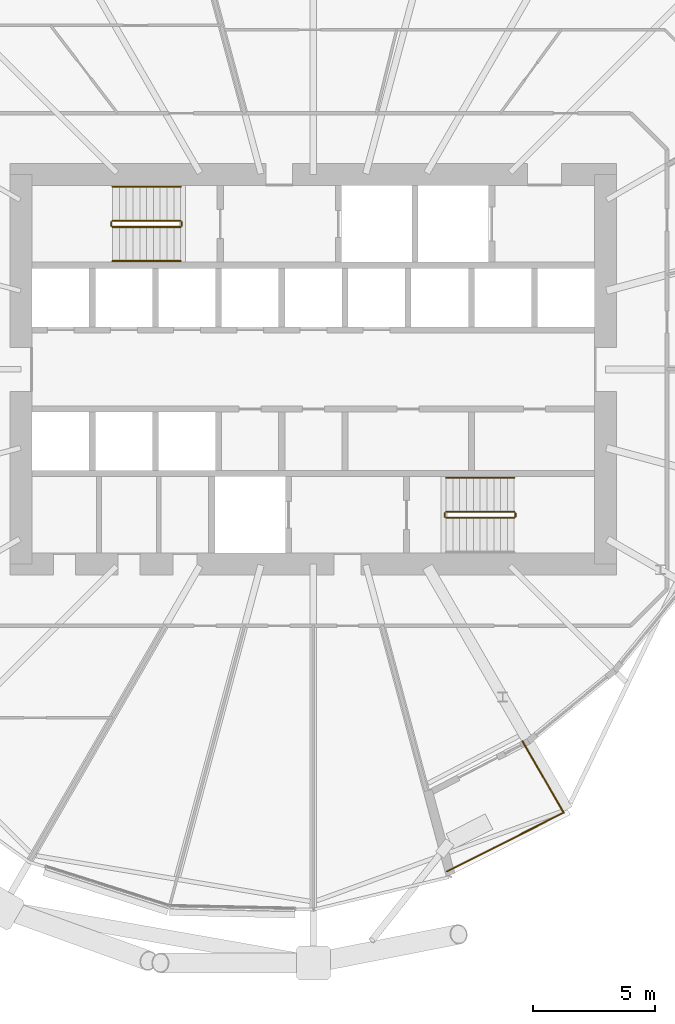
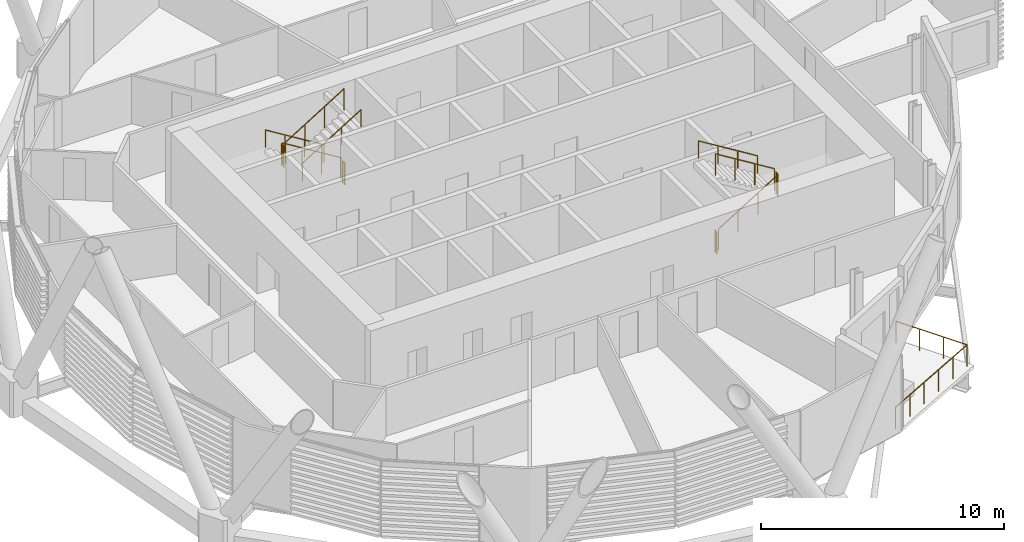
# One storey, part 34 of 36: 12 railings.
"""IFC4 building model written with IfcOpenShell, lengths in metres."""

import ifcopenshell
import ifcopenshell.guid

model = None  # the IFC model being written
_history = None  # IfcOwnerHistory: only IFC2X3 demands one
_inside = {}  # id of a spatial element -> (the spatial element, [elements in it])
_under = {}  # id of a project, library or spatial element -> (it, [spatial elements below it])
_declared = {}  # id of a project -> (the project, [libraries it declares])
_typed = {}  # id of a type object -> (the type object, [elements of that type])
_made_of = {}  # id of a material, layer set ... -> (it, [elements and type objects made of it])


def new_model(schema):
    """Start an empty IFC model of exactly this schema.

    Asked for "IFC4X3", IfcOpenShell would pick the latest addendum, in which some entities
    have other attributes; the version numbers below select the first issue.
    IFC2X3 requires an IfcOwnerHistory on every rooted entity: one is made here for all.
    """
    global model, _history
    if schema == "IFC4X3":
        model = ifcopenshell.file(schema_version=(4, 3, 0, 0))
    else:
        model = ifcopenshell.file(schema=schema)
    _inside.clear()
    _under.clear()
    _declared.clear()
    _typed.clear()
    _made_of.clear()
    _history = None
    if model.schema == "IFC2X3":
        org = make("IfcOrganization", Name="unknown")
        user = make(
            "IfcPersonAndOrganization",
            ThePerson=make("IfcPerson", FamilyName="unknown"),
            TheOrganization=org,
        )
        app = make(
            "IfcApplication",
            ApplicationDeveloper=org,
            Version="unknown",
            ApplicationFullName="unknown",
            ApplicationIdentifier="unknown",
        )
        _history = make(
            "IfcOwnerHistory",
            OwningUser=user,
            OwningApplication=app,
            ChangeAction="ADDED",
            CreationDate=0,
        )
    return model


def make(cls, **values):
    """One entity of the class cls with the attributes given. An attribute that is None is left unset."""
    return model.create_entity(
        cls, **{name: value for name, value in values.items() if value is not None}
    )


def rooted(cls, **values):
    """An entity with a GlobalId (a new one), such as an element, a storey or a relation."""
    return make(cls, GlobalId=ifcopenshell.guid.new(), OwnerHistory=_history, **values)


def si_unit(unit_type, name, prefix=None):
    """IfcSIUnit, for example si_unit("LENGTHUNIT", "METRE", prefix="MILLI")."""
    return make("IfcSIUnit", UnitType=unit_type, Prefix=prefix, Name=name)


def assignment(units):
    """IfcUnitAssignment: the units of a project."""
    return None if units is None else make("IfcUnitAssignment", Units=units)


def point(xyz):
    """IfcCartesianPoint."""
    return None if xyz is None else make("IfcCartesianPoint", Coordinates=xyz)


def direction(xyz):
    """IfcDirection."""
    return None if xyz is None else make("IfcDirection", DirectionRatios=xyz)


def frame(location, z_axis=None, x_axis=None):
    """IfcAxis2Placement3D, a coordinate frame: its origin and axes. An axis left out is left unset."""
    return make(
        "IfcAxis2Placement3D",
        Location=point(location),
        Axis=direction(z_axis),
        RefDirection=direction(x_axis),
    )


def frame_2d(location, x_axis=None):
    """IfcAxis2Placement2D, a coordinate frame in the plane: its origin and x axis."""
    return make(
        "IfcAxis2Placement2D", Location=point(location), RefDirection=direction(x_axis)
    )


def origin():
    """The frame at (0, 0, 0) with its axes left unset."""
    return frame((0.0, 0.0, 0.0))


def origin_2d():
    """The frame at (0, 0) in the plane with its x axis left unset."""
    return frame_2d((0.0, 0.0))


def place(relative_to, where):
    """IfcLocalPlacement: puts the frame where relative to a parent placement (None: the world)."""
    return make(
        "IfcLocalPlacement", PlacementRelTo=relative_to, RelativePlacement=where
    )


def context(
    kind, dimensions, precision=None, world=None, true_north=None, identifier=None
):
    """IfcGeometricRepresentationContext, for example the 3D "Model" context."""
    return make(
        "IfcGeometricRepresentationContext",
        ContextIdentifier=identifier,
        ContextType=kind,
        CoordinateSpaceDimension=dimensions,
        Precision=precision,
        WorldCoordinateSystem=world,
        TrueNorth=true_north,
    )


def subcontext(parent, identifier, kind, view, scale=None):
    """IfcGeometricRepresentationSubContext, for example "Body" below "Model"."""
    return make(
        "IfcGeometricRepresentationSubContext",
        ContextIdentifier=identifier,
        ContextType=kind,
        ParentContext=parent,
        TargetScale=scale,
        TargetView=view,
    )


def project(units=None, contexts=None):
    """IfcProject with its units and contexts."""
    return rooted(
        "IfcProject",
        Name="project",
        RepresentationContexts=contexts,
        UnitsInContext=assignment(units),
    )


def spatial(cls, under=None, at=None, **own):
    """A site, building, storey or space (cls), placed at a placement, below another one or the project."""
    s = rooted(cls, ObjectPlacement=at, **own)
    if under is not None:
        _under.setdefault(under.id(), (under, []))[1].append(s)
    return s


def profile(cls, at=None, kind="AREA", **sizes):
    """A parametric profile (cls). Its sizes go by their IFC names, for example OverallWidth=200.0."""
    return make(cls, ProfileType=kind, Position=at, **sizes)


def circle(**sizes):
    """IfcCircleProfileDef."""
    return profile("IfcCircleProfileDef", **sizes)


def extrude(swept, where, along, depth):
    """IfcExtrudedAreaSolid: the profile swept, set in the frame where, extruded along a direction by depth."""
    return make(
        "IfcExtrudedAreaSolid",
        SweptArea=swept,
        Position=where,
        ExtrudedDirection=direction(along),
        Depth=depth,
    )


def shape(context_of_items, identifier, shape_type, items):
    """IfcShapeRepresentation: the items that make up one representation, for example the "Body"."""
    return make(
        "IfcShapeRepresentation",
        ContextOfItems=context_of_items,
        RepresentationIdentifier=identifier,
        RepresentationType=shape_type,
        Items=items,
    )


def material(Name=None, Category=None):
    """IfcMaterial."""
    return make("IfcMaterial", Name=Name, Category=Category)


def made_of(thing, what):
    """Note that an element or type object is made of a material, layer set ...; save() writes the relation."""
    if what is not None:
        _made_of.setdefault(what.id(), (what, []))[1].append(thing)
    return thing


def type_object(cls, material=None, **own):
    """A type object (cls), such as IfcWallType, which elements share."""
    return made_of(rooted(cls, **own), material)


def element(
    cls,
    number,
    at=None,
    inside=None,
    cuts=None,
    type_object=None,
    material=None,
    context=None,
    identifier="Body",
    shape_type=None,
    held_by="IfcProductDefinitionShape",
    body=None,
    shapes=None,
    **own,
):
    """One element of the class cls, such as IfcWall. Its Tag is "e" and its number.

    at: its placement. inside: the storey or other place that contains it. cuts: it is an
    opening in that element (IfcRelVoidsElement). A single representation is given by context,
    identifier, shape_type and body (its items); several are given by shapes. held_by: the class
    of the entity that holds the representations. save() writes the other relations.
    """
    e = rooted(cls, Tag="e%d" % number, ObjectPlacement=at, **own)
    if body is not None:
        shapes = [shape(context, identifier, shape_type, body)]
    if shapes is not None:
        e.Representation = make(held_by, Representations=shapes)
    if inside is not None:
        _inside.setdefault(inside.id(), (inside, []))[1].append(e)
    if cuts is not None:
        rooted(
            "IfcRelVoidsElement", RelatingBuildingElement=cuts, RelatedOpeningElement=e
        )
    if type_object is not None:
        _typed.setdefault(type_object.id(), (type_object, []))[1].append(e)
    return made_of(e, material)


def aggregate(whole, parts):
    """IfcRelAggregates: a whole, such as a stair, and the parts it consists of."""
    return rooted("IfcRelAggregates", RelatingObject=whole, RelatedObjects=parts)


def save(model, path):
    """Write the relations noted so far, then the file.

    IfcRelAggregates (storeys below a building ...), IfcRelContainedInSpatialStructure (elements
    in a storey), IfcRelDefinesByType, IfcRelAssociatesMaterial and IfcRelDeclares: one each for
    every whole, place, type object, material and project.
    """
    for whole, parts in _under.values():
        aggregate(whole, parts)
    for where, things in _inside.values():
        rooted(
            "IfcRelContainedInSpatialStructure",
            RelatedElements=things,
            RelatingStructure=where,
        )
    for kind, things in _typed.values():
        rooted("IfcRelDefinesByType", RelatedObjects=things, RelatingType=kind)
    for what, things in _made_of.values():
        rooted("IfcRelAssociatesMaterial", RelatedObjects=things, RelatingMaterial=what)
    for by, libraries in _declared.values():
        rooted("IfcRelDeclares", RelatingContext=by, RelatedDefinitions=libraries)
    model.write(path)


model = new_model("IFC4")

# Units and contexts
model_context = context("Model", 3, precision=1e-05, world=origin(), true_north=direction((0.0, 1.0)))
body_context = subcontext(model_context, "Body", "Model", "MODEL_VIEW")
ifc_project = project(units=[si_unit("LENGTHUNIT", "METRE"), si_unit("AREAUNIT", "SQUARE_METRE"), si_unit("VOLUMEUNIT", "CUBIC_METRE"), si_unit("PLANEANGLEUNIT", "RADIAN"), si_unit("MASSUNIT", "GRAM", prefix="KILO")], contexts=[model_context])

# Site, building, storey
site_placement = place(None, origin())
site = spatial("IfcSite", under=ifc_project, at=site_placement, CompositionType="ELEMENT")
building_placement = place(site_placement, origin())
building = spatial("IfcBuilding", under=site, at=building_placement, Name="Rimbun Link Towers", CompositionType="ELEMENT")
storey_placement = place(building_placement, frame((0.0, 0.0, 64.199951171875)))
storey = spatial("IfcBuildingStorey", under=building, at=storey_placement, Name="L15", CompositionType="ELEMENT", Elevation=64.199951171875)

# Railings
ifc_material_1 = material(Name="Stainless steel grade 316", Category="steel")
railing_type_1 = type_object("IfcRailingType", Name="GUARD stainless rail and posts", PredefinedType="GUARDRAIL", material=ifc_material_1)
railing_1_placement = place(storey_placement, frame((37.232666015625, -20.61767578125, 0.0)))
element("IfcRailing", 1, at=railing_1_placement, inside=storey, type_object=railing_type_1, Name="GUARD", PredefinedType="GUARDRAIL", context=body_context, shape_type="SweptSolid", body=[
    extrude(circle(Radius=0.02392578125, at=origin_2d()), frame((0.0, 0.0, 1.076171875), z_axis=(0.893634682748, 0.448795113376, 0.0), x_axis=(-0.448795113376, 0.893634682748, 0.0)), (0.0, 0.0, 1.0), 5.36962890625),
    extrude(circle(Radius=0.02392578125, at=origin_2d()), frame((4.798583984375, 2.409912109375, 1.076171875), z_axis=(-0.499967812959, 0.866043986184, 0.0), x_axis=(-0.866043986184, -0.499967812959, 0.0)), (0.0, 0.0, 1.0), 3.387939453125),
    extrude(circle(Radius=0.02099609375, at=origin_2d()), origin(), (0.0, 0.0, 1.0), 1.052001953125),
    extrude(circle(Radius=0.02099609375, at=origin_2d()), frame((0.959716796875, 0.48193359375, 0.0)), (0.0, 0.0, 1.0), 1.052001953125),
    extrude(circle(Radius=0.02099609375, at=origin_2d()), frame((1.91943359375, 0.9638671875, 0.0)), (0.0, 0.0, 1.0), 1.052001953125),
    extrude(circle(Radius=0.02099609375, at=origin_2d()), frame((2.879150390625, 1.446044921875, 0.0)), (0.0, 0.0, 1.0), 1.052001953125),
    extrude(circle(Radius=0.02099609375, at=origin_2d()), frame((3.8388671875, 1.927978515625, 0.0)), (0.0, 0.0, 1.0), 1.052001953125),
    extrude(circle(Radius=0.02099609375, at=origin_2d()), frame((4.798583984375, 2.409912109375, 0.0)), (0.0, 0.0, 1.0), 1.052001953125),
    extrude(circle(Radius=0.02099609375, at=origin_2d()), frame((4.23388671875, 3.387939453125, 0.0)), (0.0, 0.0, 1.0), 1.052001953125),
    extrude(circle(Radius=0.02099609375, at=origin_2d()), frame((3.66943359375, 4.365966796875, 0.0)), (0.0, 0.0, 1.0), 1.052001953125),
    extrude(circle(Radius=0.02099609375, at=origin_2d()), frame((3.104736328125, 5.343994140625, 0.0)), (0.0, 0.0, 1.0), 1.052001953125),
])
ifc_material_2 = material(Name="Stainless steel grade 316", Category="steel")
railing_type_2 = type_object("IfcRailingType", Name="Stair guard", PredefinedType="GUARDRAIL", material=ifc_material_2)
railing_2_placement = place(storey_placement, frame((26.300048828125, 6.10009765625, 0.1728515625)))
element("IfcRailing", 2, at=railing_2_placement, inside=storey, type_object=railing_type_2, Name="L15 ST3 stair guard 1", PredefinedType="GUARDRAIL", context=body_context, shape_type="SweptSolid", body=[
    extrude(circle(Radius=0.02392578125, at=origin_2d()), frame((0.0, 0.0, 1.076171875), z_axis=(-0.851089632645, 0.0, 0.525020415988), x_axis=(0.0, -1.0, 0.0)), (0.0, 0.0, 1.0), 3.2900390625),
    extrude(circle(Radius=0.02099609375, at=origin_2d()), origin(), (0.0, 0.0, 1.0), 1.052001953125),
    extrude(circle(Radius=0.02099609375, at=origin_2d()), frame((-0.933349609375, 0.0, 0.57568359375)), (0.0, 0.0, 1.0), 1.052001953125),
    extrude(circle(Radius=0.02099609375, at=origin_2d()), frame((-1.86669921875, 0.0, 1.151611328125)), (0.0, 0.0, 1.0), 1.052001953125),
    extrude(circle(Radius=0.02099609375, at=origin_2d()), frame((-2.800048828125, 0.0, 1.727294921875)), (0.0, 0.0, 1.0), 1.052001953125),
])
railing_3_placement = place(storey_placement, frame((23.449951171875, 6.050048828125, 1.900146484375)))
element("IfcRailing", 3, at=railing_3_placement, inside=storey, type_object=railing_type_2, Name="L15 ST3 stair guard 2", PredefinedType="GUARDRAIL", context=body_context, shape_type="SweptSolid", body=[
    extrude(circle(Radius=0.02392578125, at=origin_2d()), frame((0.0, 0.0, 1.076171875), z_axis=(0.0, -1.0, 0.0), x_axis=(1.0, 0.0, 0.0)), (0.0, 0.0, 1.0), 0.150146484375),
    extrude(circle(Radius=0.02099609375, at=origin_2d()), origin(), (0.0, 0.0, 1.0), 1.052001953125),
    extrude(circle(Radius=0.02099609375, at=origin_2d()), frame((0.0, -0.150146484375, 0.0)), (0.0, 0.0, 1.0), 1.052001953125),
])
railing_4_placement = place(storey_placement, frame((23.5, 5.85009765625, 2.07275390625)))
element("IfcRailing", 4, at=railing_4_placement, inside=storey, type_object=railing_type_2, Name="L15 ST3 stair guard 3", PredefinedType="GUARDRAIL", context=body_context, shape_type="SweptSolid", body=[
    extrude(circle(Radius=0.02392578125, at=origin_2d()), frame((0.0, 0.0, 1.076171875), z_axis=(0.851089632645, 0.0, 0.525020415988), x_axis=(0.0, 1.0, 0.0)), (0.0, 0.0, 1.0), 3.2900390625),
    extrude(circle(Radius=0.02099609375, at=origin_2d()), origin(), (0.0, 0.0, 1.0), 1.052001953125),
    extrude(circle(Radius=0.02099609375, at=origin_2d()), frame((0.933349609375, 0.0, 0.57568359375)), (0.0, 0.0, 1.0), 1.052001953125),
    extrude(circle(Radius=0.02099609375, at=origin_2d()), frame((1.86669921875, 0.0, 1.151611328125)), (0.0, 0.0, 1.0), 1.052001953125),
    extrude(circle(Radius=0.02099609375, at=origin_2d()), frame((2.800048828125, 0.0, 1.727294921875)), (0.0, 0.0, 1.0), 1.052001953125),
])
railing_5_placement = place(storey_placement, frame((26.35009765625, 6.050048828125, 0.0)))
element("IfcRailing", 5, at=railing_5_placement, inside=storey, type_object=railing_type_2, Name="L15 ST3 stair guard 4", PredefinedType="GUARDRAIL", context=body_context, shape_type="SweptSolid", body=[
    extrude(circle(Radius=0.02392578125, at=origin_2d()), frame((0.0, 0.0, 1.076171875), z_axis=(0.0, -1.0, 0.0), x_axis=(1.0, 0.0, 0.0)), (0.0, 0.0, 1.0), 0.150146484375),
    extrude(circle(Radius=0.02099609375, at=origin_2d()), origin(), (0.0, 0.0, 1.0), 1.052001953125),
    extrude(circle(Radius=0.02099609375, at=origin_2d()), frame((0.0, -0.150146484375, 0.0)), (0.0, 0.0, 1.0), 1.052001953125),
])
railing_6_placement = place(storey_placement, frame((37.199951171875, -6.10009765625, 0.1728515625)))
element("IfcRailing", 6, at=railing_6_placement, inside=storey, type_object=railing_type_2, Name="L15 ST4 stair guard 1", PredefinedType="GUARDRAIL", context=body_context, shape_type="SweptSolid", body=[
    extrude(circle(Radius=0.02392578125, at=origin_2d()), frame((0.0, 0.0, 1.076171875), z_axis=(0.851089632645, 0.0, 0.525020415988), x_axis=(0.0, 1.0, 0.0)), (0.0, 0.0, 1.0), 3.2900390625),
    extrude(circle(Radius=0.02099609375, at=origin_2d()), origin(), (0.0, 0.0, 1.0), 1.052001953125),
    extrude(circle(Radius=0.02099609375, at=origin_2d()), frame((0.933349609375, 0.0, 0.57568359375)), (0.0, 0.0, 1.0), 1.052001953125),
    extrude(circle(Radius=0.02099609375, at=origin_2d()), frame((1.86669921875, 0.0, 1.151611328125)), (0.0, 0.0, 1.0), 1.052001953125),
    extrude(circle(Radius=0.02099609375, at=origin_2d()), frame((2.800048828125, 0.0, 1.727294921875)), (0.0, 0.0, 1.0), 1.052001953125),
])
railing_7_placement = place(storey_placement, frame((40.050048828125, -6.050048828125, 1.900146484375)))
element("IfcRailing", 7, at=railing_7_placement, inside=storey, type_object=railing_type_2, Name="L15 ST4 stair guard 2", PredefinedType="GUARDRAIL", context=body_context, shape_type="SweptSolid", body=[
    extrude(circle(Radius=0.02392578125, at=origin_2d()), frame((0.0, 0.0, 1.076171875), z_axis=(0.0, 1.0, 0.0), x_axis=(-1.0, 0.0, 0.0)), (0.0, 0.0, 1.0), 0.150146484375),
    extrude(circle(Radius=0.02099609375, at=origin_2d()), origin(), (0.0, 0.0, 1.0), 1.052001953125),
    extrude(circle(Radius=0.02099609375, at=origin_2d()), frame((0.0, 0.150146484375, 0.0)), (0.0, 0.0, 1.0), 1.052001953125),
])
railing_8_placement = place(storey_placement, frame((40.0, -5.85009765625, 2.07275390625)))
element("IfcRailing", 8, at=railing_8_placement, inside=storey, type_object=railing_type_2, Name="L15 ST4 stair guard 3", PredefinedType="GUARDRAIL", context=body_context, shape_type="SweptSolid", body=[
    extrude(circle(Radius=0.02392578125, at=origin_2d()), frame((0.0, 0.0, 1.076171875), z_axis=(-0.851089632645, 0.0, 0.525020415988), x_axis=(0.0, -1.0, 0.0)), (0.0, 0.0, 1.0), 3.2900390625),
    extrude(circle(Radius=0.02099609375, at=origin_2d()), origin(), (0.0, 0.0, 1.0), 1.052001953125),
    extrude(circle(Radius=0.02099609375, at=origin_2d()), frame((-0.933349609375, 0.0, 0.57568359375)), (0.0, 0.0, 1.0), 1.052001953125),
    extrude(circle(Radius=0.02099609375, at=origin_2d()), frame((-1.86669921875, 0.0, 1.151611328125)), (0.0, 0.0, 1.0), 1.052001953125),
    extrude(circle(Radius=0.02099609375, at=origin_2d()), frame((-2.800048828125, 0.0, 1.727294921875)), (0.0, 0.0, 1.0), 1.052001953125),
])
railing_9_placement = place(storey_placement, frame((37.14990234375, -6.050048828125, 0.0)))
element("IfcRailing", 9, at=railing_9_placement, inside=storey, type_object=railing_type_2, Name="L15 ST4 stair guard 4", PredefinedType="GUARDRAIL", context=body_context, shape_type="SweptSolid", body=[
    extrude(circle(Radius=0.02392578125, at=origin_2d()), frame((0.0, 0.0, 1.076171875), z_axis=(0.0, 1.0, 0.0), x_axis=(-1.0, 0.0, 0.0)), (0.0, 0.0, 1.0), 0.150146484375),
    extrude(circle(Radius=0.02099609375, at=origin_2d()), origin(), (0.0, 0.0, 1.0), 1.052001953125),
    extrude(circle(Radius=0.02099609375, at=origin_2d()), frame((0.0, 0.150146484375, 0.0)), (0.0, 0.0, 1.0), 1.052001953125),
])
ifc_material_3 = material(Name="Stainless steel grade 316", Category="steel")
railing_type_3 = type_object("IfcRailingType", Name="Stair handrail", PredefinedType="HANDRAIL", material=ifc_material_3)
railing_10_placement = place(storey_placement, frame((26.300048828125, 7.5, 0.1728515625)))
element("IfcRailing", 10, at=railing_10_placement, inside=storey, type_object=railing_type_3, Name="L15 ST3 stair handrail 1", PredefinedType="HANDRAIL", context=body_context, shape_type="SweptSolid", body=[
    extrude(circle(Radius=0.02392578125, at=origin_2d()), frame((0.0, 0.0, 0.8759765625), z_axis=(-0.851089632645, 0.0, 0.525020415988), x_axis=(0.0, -1.0, 0.0)), (0.0, 0.0, 1.0), 3.2900390625),
    extrude(circle(Radius=0.02099609375, at=origin_2d()), origin(), (0.0, 0.0, 1.0), 0.851806640625),
    extrude(circle(Radius=0.02099609375, at=origin_2d()), frame((-0.933349609375, 0.0, 0.57568359375)), (0.0, 0.0, 1.0), 0.851806640625),
    extrude(circle(Radius=0.02099609375, at=origin_2d()), frame((-1.86669921875, 0.0, 1.151611328125)), (0.0, 0.0, 1.0), 0.851806640625),
    extrude(circle(Radius=0.02099609375, at=origin_2d()), frame((-2.800048828125, 0.0, 1.727294921875)), (0.0, 0.0, 1.0), 0.851806640625),
])
railing_11_placement = place(storey_placement, frame((23.5, 4.449951171875, 2.07275390625)))
element("IfcRailing", 11, at=railing_11_placement, inside=storey, type_object=railing_type_3, Name="L15 ST3 stair handrail 2", PredefinedType="HANDRAIL", context=body_context, shape_type="SweptSolid", body=[
    extrude(circle(Radius=0.02392578125, at=origin_2d()), frame((0.0, 0.0, 0.8759765625), z_axis=(0.851089632645, 0.0, 0.525020415988), x_axis=(0.0, 1.0, 0.0)), (0.0, 0.0, 1.0), 3.2900390625),
    extrude(circle(Radius=0.02099609375, at=origin_2d()), origin(), (0.0, 0.0, 1.0), 0.851806640625),
    extrude(circle(Radius=0.02099609375, at=origin_2d()), frame((0.933349609375, 0.0, 0.57568359375)), (0.0, 0.0, 1.0), 0.851806640625),
    extrude(circle(Radius=0.02099609375, at=origin_2d()), frame((1.86669921875, 0.0, 1.151611328125)), (0.0, 0.0, 1.0), 0.851806640625),
    extrude(circle(Radius=0.02099609375, at=origin_2d()), frame((2.800048828125, 0.0, 1.727294921875)), (0.0, 0.0, 1.0), 0.851806640625),
])
railing_12_placement = place(storey_placement, frame((40.0, -4.449951171875, 2.07275390625)))
element("IfcRailing", 12, at=railing_12_placement, inside=storey, type_object=railing_type_3, Name="L15 ST4 stair handrail 2", PredefinedType="HANDRAIL", context=body_context, shape_type="SweptSolid", body=[
    extrude(circle(Radius=0.02392578125, at=origin_2d()), frame((0.0, 0.0, 0.8759765625), z_axis=(-0.851089632645, 0.0, 0.525020415988), x_axis=(0.0, -1.0, 0.0)), (0.0, 0.0, 1.0), 3.2900390625),
    extrude(circle(Radius=0.02099609375, at=origin_2d()), origin(), (0.0, 0.0, 1.0), 0.851806640625),
    extrude(circle(Radius=0.02099609375, at=origin_2d()), frame((-0.933349609375, 0.0, 0.57568359375)), (0.0, 0.0, 1.0), 0.851806640625),
    extrude(circle(Radius=0.02099609375, at=origin_2d()), frame((-1.86669921875, 0.0, 1.151611328125)), (0.0, 0.0, 1.0), 0.851806640625),
    extrude(circle(Radius=0.02099609375, at=origin_2d()), frame((-2.800048828125, 0.0, 1.727294921875)), (0.0, 0.0, 1.0), 0.851806640625),
])

save(model, "model.ifc")
